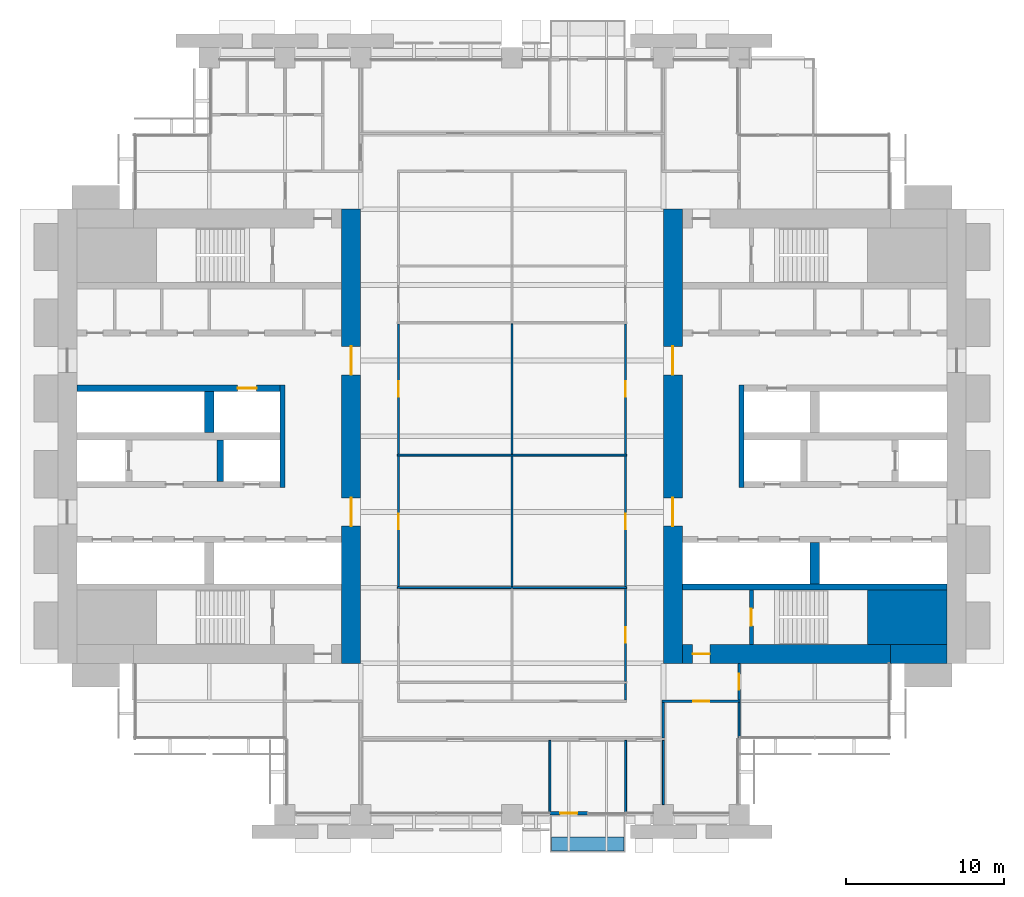
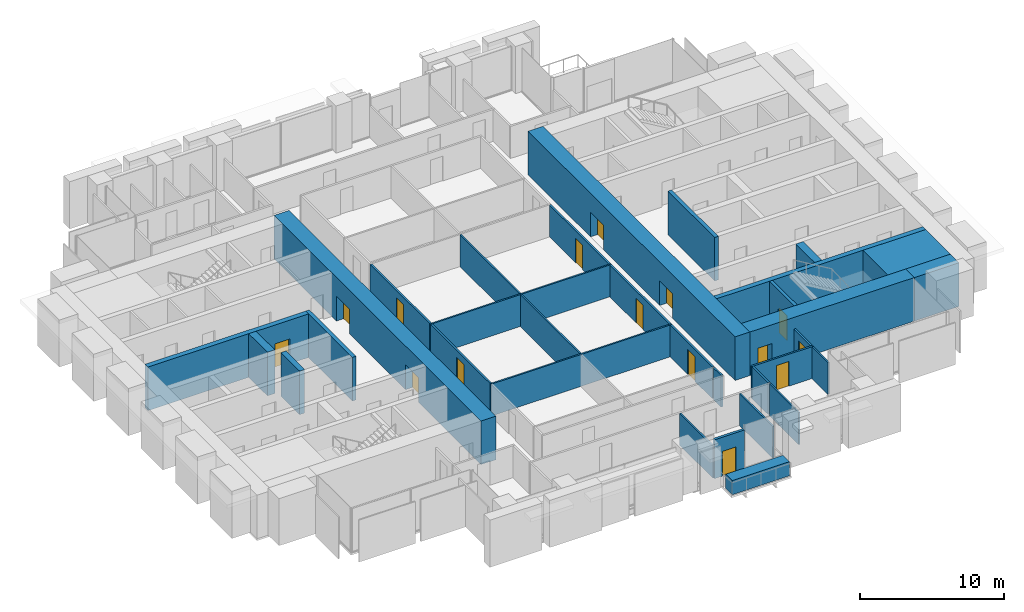
# One storey, part 10 of 15: 32 walls, 15 doors, 15 openings.
"""IFC4 building model written with IfcOpenShell, lengths in metres."""

from ifc_helpers import new_model, si_unit, direction, frame, frame_2d, origin, place, context, subcontext, project, spatial, rectangle, extrude, material, layer, layer_set, type_object, element, fill, save


model = new_model("IFC4")

# Units and contexts
model_context = context("Model", 3, precision=1e-05, world=origin(), true_north=direction((0.0, 1.0)))
body_context = subcontext(model_context, "Body", "Model", "MODEL_VIEW")
ifc_project = project(units=[si_unit("LENGTHUNIT", "METRE"), si_unit("AREAUNIT", "SQUARE_METRE"), si_unit("VOLUMEUNIT", "CUBIC_METRE"), si_unit("PLANEANGLEUNIT", "RADIAN"), si_unit("MASSUNIT", "GRAM", prefix="KILO")], contexts=[model_context])

# Site, building, storey
site_placement = place(None, origin())
site = spatial("IfcSite", under=ifc_project, at=site_placement, CompositionType="ELEMENT")
building_placement = place(site_placement, origin())
building = spatial("IfcBuilding", under=site, at=building_placement, Name="Baori Bourse Tower", CompositionType="ELEMENT")
storey_placement = place(building_placement, frame((0.0, 0.0, 83.0)))
storey = spatial("IfcBuildingStorey", under=building, at=storey_placement, Name="L18", CompositionType="ELEMENT", Elevation=83.0)

# Wall
ifc_material_1 = material(Name="Concrete f'c 70 MPa", Category="concrete")
wall_type_1 = type_object("IfcWallType", Name="Core corner block f'c 70", PredefinedType="SHEAR", material=ifc_material_1)
wall_1_placement = place(storey_placement, frame((51.35009765625, 12.52490234375, 0.0), z_axis=(0.0, 0.0, 1.0), x_axis=(1.0, 0.0, 0.0)))
element("IfcWall", 1, at=wall_1_placement, inside=storey, type_object=wall_type_1, Name="Core wall E05", PredefinedType="SHEAR", context=body_context, shape_type="SweptSolid", body=[
    extrude(rectangle(XDim=5.0498046875, YDim=3.449951171875, at=frame_2d((2.52490234375, 0.0))), origin(), (0.0, 0.0, 1.0), 3.699951171875),
])

# Wall, openings, doors
ifc_material_2 = material(Name="Concrete f'c 70 MPa", Category="concrete")
ifc_layer_1 = layer(ifc_material_2, 1.199951171875)
ifc_layer_set_1 = layer_set([ifc_layer_1], Name="Core wall 1200 f'c 70")
wall_type_2 = type_object("IfcWallType", Name="Core wall 1200 f'c 70", PredefinedType="SHEAR", material=ifc_layer_set_1)
wall_2_placement = place(storey_placement, frame((18.60009765625, 38.39990234375, 0.0), z_axis=(0.0, 0.0, 1.0), x_axis=(0.0, -1.0, 0.0)))
wall_2 = element("IfcWall", 2, at=wall_2_placement, inside=storey, type_object=wall_type_2, Name="Core wall W04", PredefinedType="SHEAR", context=body_context, shape_type="SweptSolid", body=[
    extrude(rectangle(XDim=28.7998046875, YDim=1.199951171875, at=frame_2d((14.39990234375, 0.0))), origin(), (0.0, 0.0, 1.0), 3.699951171875),
])
opening_1_placement = place(wall_2_placement, frame((18.300048828125, 0.0, 0.0)))
opening_1 = element("IfcOpeningElement", 3, at=opening_1_placement, cuts=wall_2, Name="Opening L18-D107", PredefinedType="OPENING", context=body_context, shape_type="SweptSolid", body=[
    extrude(rectangle(XDim=1.800048828125, YDim=2.10009765625, at=frame_2d((0.89990234375, 1.050048828125))), frame((0.0, 0.60986328125, 0.0), z_axis=(0.0, -1.0, 0.0), x_axis=(1.0, 0.0, 0.0)), (0.0, 0.0, 1.0), 1.219970703125),
])
opening_2_placement = place(wall_2_placement, frame((8.699951171875, 0.0, 0.0)))
opening_2 = element("IfcOpeningElement", 4, at=opening_2_placement, cuts=wall_2, Name="Opening L18-D108", PredefinedType="OPENING", context=body_context, shape_type="SweptSolid", body=[
    extrude(rectangle(XDim=1.800048828125, YDim=2.10009765625, at=frame_2d((0.89990234375, 1.050048828125))), frame((0.0, 0.60986328125, 0.0), z_axis=(0.0, -1.0, 0.0), x_axis=(1.0, 0.0, 0.0)), (0.0, 0.0, 1.0), 1.219970703125),
])
ifc_material_3 = material(Name="Painted steel door", Category="steel")
door_type_1 = type_object("IfcDoorType", Name="Core lobby door 1800", OperationType="DOUBLE_DOOR_SINGLE_SWING", PredefinedType="DOOR", material=ifc_material_3)
door_1_placement = place(opening_1_placement, origin())
door_1 = element("IfcDoor", 5, at=door_1_placement, inside=storey, type_object=door_type_1, Name="Lobby door W L18", OperationType="DOUBLE_DOOR_SINGLE_SWING", OverallHeight=2.10009765625, OverallWidth=1.800048828125, PredefinedType="DOOR", context=body_context, shape_type="SweptSolid", body=[
    extrude(rectangle(XDim=1.800048828125, YDim=2.10009765625, at=frame_2d((0.89990234375, 1.050048828125))), frame((0.0, 0.02490234375, 0.0), z_axis=(0.0, -1.0, 0.0), x_axis=(1.0, 0.0, 0.0)), (0.0, 0.0, 1.0), 0.050048828125),
])
fill(opening_1, door_1)
door_2_placement = place(opening_2_placement, origin())
door_2 = element("IfcDoor", 6, at=door_2_placement, inside=storey, type_object=door_type_1, Name="Lobby door W L18", OperationType="DOUBLE_DOOR_SINGLE_SWING", OverallHeight=2.10009765625, OverallWidth=1.800048828125, PredefinedType="DOOR", context=body_context, shape_type="SweptSolid", body=[
    extrude(rectangle(XDim=1.800048828125, YDim=2.10009765625, at=frame_2d((0.89990234375, 1.050048828125))), frame((0.0, 0.02490234375, 0.0), z_axis=(0.0, -1.0, 0.0), x_axis=(1.0, 0.0, 0.0)), (0.0, 0.0, 1.0), 0.050048828125),
])
fill(opening_2, door_2)

# Wall
wall_3_placement = place(storey_placement, frame((56.39990234375, 10.199951171875, 0.0), z_axis=(0.0, 0.0, 1.0), x_axis=(-1.0, 0.0, 0.0)))
element("IfcWall", 7, at=wall_3_placement, inside=storey, type_object=wall_type_2, Name="Core wall E02", PredefinedType="SHEAR", context=body_context, shape_type="SweptSolid", body=[
    extrude(rectangle(XDim=3.599853515625, YDim=1.199951171875, at=frame_2d((1.7998046875, 0.0))), origin(), (0.0, 0.0, 1.0), 3.699951171875),
])

# Wall, opening, door
wall_4_placement = place(storey_placement, frame((52.800048828125, 10.199951171875, 0.0), z_axis=(0.0, 0.0, 1.0), x_axis=(-1.0, 0.0, 0.0)))
wall_4 = element("IfcWall", 8, at=wall_4_placement, inside=storey, type_object=wall_type_2, Name="Core wall E03", PredefinedType="SHEAR", context=body_context, shape_type="SweptSolid", body=[
    extrude(rectangle(XDim=13.199951171875, YDim=1.199951171875, at=frame_2d((6.60009765625, 0.0))), origin(), (0.0, 0.0, 1.0), 3.699951171875),
])
opening_3_placement = place(wall_4_placement, frame((11.449951171875, 0.0, 0.0)))
opening_3 = element("IfcOpeningElement", 9, at=opening_3_placement, cuts=wall_4, Name="Opening L18-D202", PredefinedType="OPENING", context=body_context, shape_type="SweptSolid", body=[
    extrude(rectangle(XDim=1.10009765625, YDim=2.10009765625, at=frame_2d((0.550048828125, 1.050048828125))), frame((0.0, 0.60986328125, 0.0), z_axis=(0.0, -1.0, 0.0), x_axis=(1.0, 0.0, 0.0)), (0.0, 0.0, 1.0), 1.219970703125),
])
ifc_material_4 = material(Name="Painted steel door", Category="steel")
door_type_2 = type_object("IfcDoorType", Name="Stair door 1100", OperationType="SINGLE_SWING_LEFT", PredefinedType="DOOR", material=ifc_material_4)
door_3_placement = place(opening_3_placement, origin())
door_3 = element("IfcDoor", 10, at=door_3_placement, inside=storey, type_object=door_type_2, Name="Stair vestibule door A E L18", OperationType="SINGLE_SWING_LEFT", OverallHeight=2.10009765625, OverallWidth=1.10009765625, PredefinedType="DOOR", context=body_context, shape_type="SweptSolid", body=[
    extrude(rectangle(XDim=1.10009765625, YDim=2.10009765625, at=frame_2d((0.550048828125, 1.050048828125))), frame((0.0, 0.02490234375, 0.0), z_axis=(0.0, -1.0, 0.0), x_axis=(1.0, 0.0, 0.0)), (0.0, 0.0, 1.0), 0.050048828125),
])
fill(opening_3, door_3)

# Wall, openings, doors
wall_5_placement = place(storey_placement, frame((39.0, 9.60009765625, 0.0), z_axis=(0.0, 0.0, 1.0), x_axis=(0.0, 1.0, 0.0)))
wall_5 = element("IfcWall", 11, at=wall_5_placement, inside=storey, type_object=wall_type_2, Name="Core wall E04", PredefinedType="SHEAR", context=body_context, shape_type="SweptSolid", body=[
    extrude(rectangle(XDim=28.7998046875, YDim=1.199951171875, at=frame_2d((14.39990234375, 0.0))), origin(), (0.0, 0.0, 1.0), 3.699951171875),
])
opening_4_placement = place(wall_5_placement, frame((8.699951171875, 0.0, 0.0)))
opening_4 = element("IfcOpeningElement", 12, at=opening_4_placement, cuts=wall_5, Name="Opening L18-D207", PredefinedType="OPENING", context=body_context, shape_type="SweptSolid", body=[
    extrude(rectangle(XDim=1.800048828125, YDim=2.10009765625, at=frame_2d((0.89990234375, 1.050048828125))), frame((0.0, 0.60986328125, 0.0), z_axis=(0.0, -1.0, 0.0), x_axis=(1.0, 0.0, 0.0)), (0.0, 0.0, 1.0), 1.219970703125),
])
opening_5_placement = place(wall_5_placement, frame((18.300048828125, 0.0, 0.0)))
opening_5 = element("IfcOpeningElement", 13, at=opening_5_placement, cuts=wall_5, Name="Opening L18-D208", PredefinedType="OPENING", context=body_context, shape_type="SweptSolid", body=[
    extrude(rectangle(XDim=1.800048828125, YDim=2.10009765625, at=frame_2d((0.89990234375, 1.050048828125))), frame((0.0, 0.60986328125, 0.0), z_axis=(0.0, -1.0, 0.0), x_axis=(1.0, 0.0, 0.0)), (0.0, 0.0, 1.0), 1.219970703125),
])
door_4_placement = place(opening_4_placement, origin())
door_4 = element("IfcDoor", 14, at=door_4_placement, inside=storey, type_object=door_type_1, Name="Lobby door E L18", OperationType="DOUBLE_DOOR_SINGLE_SWING", OverallHeight=2.10009765625, OverallWidth=1.800048828125, PredefinedType="DOOR", context=body_context, shape_type="SweptSolid", body=[
    extrude(rectangle(XDim=1.800048828125, YDim=2.10009765625, at=frame_2d((0.89990234375, 1.050048828125))), frame((0.0, 0.02490234375, 0.0), z_axis=(0.0, -1.0, 0.0), x_axis=(1.0, 0.0, 0.0)), (0.0, 0.0, 1.0), 0.050048828125),
])
fill(opening_4, door_4)
door_5_placement = place(opening_5_placement, origin())
door_5 = element("IfcDoor", 15, at=door_5_placement, inside=storey, type_object=door_type_1, Name="Lobby door E L18", OperationType="DOUBLE_DOOR_SINGLE_SWING", OverallHeight=2.10009765625, OverallWidth=1.800048828125, PredefinedType="DOOR", context=body_context, shape_type="SweptSolid", body=[
    extrude(rectangle(XDim=1.800048828125, YDim=2.10009765625, at=frame_2d((0.89990234375, 1.050048828125))), frame((0.0, 0.02490234375, 0.0), z_axis=(0.0, -1.0, 0.0), x_axis=(1.0, 0.0, 0.0)), (0.0, 0.0, 1.0), 0.050048828125),
])
fill(opening_5, door_5)

# Wall, opening, door
ifc_material_5 = material(Name="Gypsum board partition")
ifc_layer_2 = layer(ifc_material_5, 0.14990234375)
ifc_layer_set_2 = layer_set([ifc_layer_2], Name="Corridor partition 150")
wall_type_3 = type_object("IfcWallType", Name="Corridor partition 150", PredefinedType="PARTITIONING", material=ifc_layer_set_2)
wall_6_placement = place(storey_placement, frame((38.324951171875, 7.199951171875, 0.0), z_axis=(0.0, 0.0, 1.0), x_axis=(1.0, 0.0, 0.0)))
wall_6 = element("IfcWall", 16, at=wall_6_placement, inside=storey, type_object=wall_type_3, Name="Partition", PredefinedType="PARTITIONING", context=body_context, shape_type="SweptSolid", body=[
    extrude(rectangle(XDim=4.949951171875, YDim=0.14990234375, at=frame_2d((2.47509765625, 0.0))), origin(), (0.0, 0.0, 1.0), 2.70947265625),
])
opening_6_placement = place(wall_6_placement, frame((1.97509765625, 0.0, 0.0)))
opening_6 = element("IfcOpeningElement", 17, at=opening_6_placement, cuts=wall_6, Name="Opening L18-D07", PredefinedType="OPENING", context=body_context, shape_type="SweptSolid", body=[
    extrude(rectangle(XDim=1.0, YDim=2.10009765625, at=frame_2d((0.5, 1.050048828125))), frame((0.0, 0.0849609375, 0.0), z_axis=(0.0, -1.0, 0.0), x_axis=(1.0, 0.0, 0.0)), (0.0, 0.0, 1.0), 0.169921875),
])
ifc_material_6 = material(Name="Timber door leaf", Category="wood")
door_type_3 = type_object("IfcDoorType", Name="Door 1000 x 2100", OperationType="SINGLE_SWING_LEFT", PredefinedType="DOOR", material=ifc_material_6)
door_6_placement = place(opening_6_placement, origin())
door_6 = element("IfcDoor", 18, at=door_6_placement, inside=storey, type_object=door_type_3, Name="Door", OperationType="SINGLE_SWING_LEFT", OverallHeight=2.10009765625, OverallWidth=1.0, PredefinedType="DOOR", context=body_context, shape_type="SweptSolid", body=[
    extrude(rectangle(XDim=1.0, YDim=2.10009765625, at=frame_2d((0.5, 1.050048828125))), frame((0.0, 0.02490234375, 0.0), z_axis=(0.0, -1.0, 0.0), x_axis=(1.0, 0.0, 0.0)), (0.0, 0.0, 1.0), 0.050048828125),
])
fill(opening_6, door_6)

wall_7_placement = place(storey_placement, frame((21.60009765625, 14.46240234375, 0.0), z_axis=(0.0, 0.0, 1.0), x_axis=(0.0, 1.0, 0.0)))
wall_7 = element("IfcWall", 19, at=wall_7_placement, inside=storey, type_object=wall_type_3, Name="Partition", PredefinedType="PARTITIONING", context=body_context, shape_type="SweptSolid", body=[
    extrude(rectangle(XDim=8.275146484375, YDim=0.14990234375, at=frame_2d((4.1376953125, 0.0))), origin(), (0.0, 0.0, 1.0), 2.70947265625),
])
opening_7_placement = place(wall_7_placement, frame((3.637451171875, 0.0, 0.0)))
opening_7 = element("IfcOpeningElement", 20, at=opening_7_placement, cuts=wall_7, Name="Opening L18-D22", PredefinedType="OPENING", context=body_context, shape_type="SweptSolid", body=[
    extrude(rectangle(XDim=1.0, YDim=2.10009765625, at=frame_2d((0.5, 1.050048828125))), frame((0.0, 0.0849609375, 0.0), z_axis=(0.0, -1.0, 0.0), x_axis=(1.0, 0.0, 0.0)), (0.0, 0.0, 1.0), 0.169921875),
])
door_7_placement = place(opening_7_placement, origin())
door_7 = element("IfcDoor", 21, at=door_7_placement, inside=storey, type_object=door_type_3, Name="Door", OperationType="SINGLE_SWING_RIGHT", OverallHeight=2.10009765625, OverallWidth=1.0, PredefinedType="DOOR", context=body_context, shape_type="SweptSolid", body=[
    extrude(rectangle(XDim=1.0, YDim=2.10009765625, at=frame_2d((0.5, 1.050048828125))), frame((0.0, 0.02490234375, 0.0), z_axis=(0.0, -1.0, 0.0), x_axis=(1.0, 0.0, 0.0)), (0.0, 0.0, 1.0), 0.050048828125),
])
fill(opening_7, door_7)

wall_8_placement = place(storey_placement, frame((21.60009765625, 22.862548828125, 0.0), z_axis=(0.0, 0.0, 1.0), x_axis=(0.0, 1.0, 0.0)))
wall_8 = element("IfcWall", 22, at=wall_8_placement, inside=storey, type_object=wall_type_3, Name="Partition", PredefinedType="PARTITIONING", context=body_context, shape_type="SweptSolid", body=[
    extrude(rectangle(XDim=8.27490234375, YDim=0.14990234375, at=frame_2d((4.137451171875, 0.0))), origin(), (0.0, 0.0, 1.0), 2.70947265625),
])
opening_8_placement = place(wall_8_placement, frame((3.637451171875, 0.0, 0.0)))
opening_8 = element("IfcOpeningElement", 23, at=opening_8_placement, cuts=wall_8, Name="Opening L18-D23", PredefinedType="OPENING", context=body_context, shape_type="SweptSolid", body=[
    extrude(rectangle(XDim=1.0, YDim=2.10009765625, at=frame_2d((0.5, 1.050048828125))), frame((0.0, 0.0849609375, 0.0), z_axis=(0.0, -1.0, 0.0), x_axis=(1.0, 0.0, 0.0)), (0.0, 0.0, 1.0), 0.169921875),
])
door_8_placement = place(opening_8_placement, origin())
door_8 = element("IfcDoor", 24, at=door_8_placement, inside=storey, type_object=door_type_3, Name="Door", OperationType="SINGLE_SWING_LEFT", OverallHeight=2.10009765625, OverallWidth=1.0, PredefinedType="DOOR", context=body_context, shape_type="SweptSolid", body=[
    extrude(rectangle(XDim=1.0, YDim=2.10009765625, at=frame_2d((0.5, 1.050048828125))), frame((0.0, 0.02490234375, 0.0), z_axis=(0.0, -1.0, 0.0), x_axis=(1.0, 0.0, 0.0)), (0.0, 0.0, 1.0), 0.050048828125),
])
fill(opening_8, door_8)

# Wall
wall_9_placement = place(storey_placement, frame((36.0, 7.27490234375, 0.0), z_axis=(0.0, 0.0, 1.0), x_axis=(0.0, 1.0, 0.0)))
element("IfcWall", 25, at=wall_9_placement, inside=storey, type_object=wall_type_3, Name="Partition", PredefinedType="PARTITIONING", context=body_context, shape_type="SweptSolid", body=[
    extrude(rectangle(XDim=1.0625, YDim=0.14990234375, at=frame_2d((0.53125, 0.0))), origin(), (0.0, 0.0, 1.0), 2.70947265625),
])

# Wall, opening, door
wall_10_placement = place(storey_placement, frame((36.0, 8.46240234375, 0.0), z_axis=(0.0, 0.0, 1.0), x_axis=(0.0, 1.0, 0.0)))
wall_10 = element("IfcWall", 26, at=wall_10_placement, inside=storey, type_object=wall_type_3, Name="Partition", PredefinedType="PARTITIONING", context=body_context, shape_type="SweptSolid", body=[
    extrude(rectangle(XDim=5.875, YDim=0.14990234375, at=frame_2d((2.9375, 0.0))), origin(), (0.0, 0.0, 1.0), 2.70947265625),
])
opening_9_placement = place(wall_10_placement, frame((2.4375, 0.0, 0.0)))
opening_9 = element("IfcOpeningElement", 27, at=opening_9_placement, cuts=wall_10, Name="Opening L18-D25", PredefinedType="OPENING", context=body_context, shape_type="SweptSolid", body=[
    extrude(rectangle(XDim=1.0, YDim=2.10009765625, at=frame_2d((0.5, 1.050048828125))), frame((0.0, 0.0849609375, 0.0), z_axis=(0.0, -1.0, 0.0), x_axis=(1.0, 0.0, 0.0)), (0.0, 0.0, 1.0), 0.169921875),
])
door_9_placement = place(opening_9_placement, origin())
door_9 = element("IfcDoor", 28, at=door_9_placement, inside=storey, type_object=door_type_3, Name="Door", OperationType="SINGLE_SWING_RIGHT", OverallHeight=2.10009765625, OverallWidth=1.0, PredefinedType="DOOR", context=body_context, shape_type="SweptSolid", body=[
    extrude(rectangle(XDim=1.0, YDim=2.10009765625, at=frame_2d((0.5, 1.050048828125))), frame((0.0, 0.02490234375, 0.0), z_axis=(0.0, -1.0, 0.0), x_axis=(1.0, 0.0, 0.0)), (0.0, 0.0, 1.0), 0.050048828125),
])
fill(opening_9, door_9)

wall_11_placement = place(storey_placement, frame((36.0, 14.46240234375, 0.0), z_axis=(0.0, 0.0, 1.0), x_axis=(0.0, 1.0, 0.0)))
wall_11 = element("IfcWall", 29, at=wall_11_placement, inside=storey, type_object=wall_type_3, Name="Partition", PredefinedType="PARTITIONING", context=body_context, shape_type="SweptSolid", body=[
    extrude(rectangle(XDim=8.275146484375, YDim=0.14990234375, at=frame_2d((4.1376953125, 0.0))), origin(), (0.0, 0.0, 1.0), 2.70947265625),
])
opening_10_placement = place(wall_11_placement, frame((3.637451171875, 0.0, 0.0)))
opening_10 = element("IfcOpeningElement", 30, at=opening_10_placement, cuts=wall_11, Name="Opening L18-D26", PredefinedType="OPENING", context=body_context, shape_type="SweptSolid", body=[
    extrude(rectangle(XDim=1.0, YDim=2.10009765625, at=frame_2d((0.5, 1.050048828125))), frame((0.0, 0.0849609375, 0.0), z_axis=(0.0, -1.0, 0.0), x_axis=(1.0, 0.0, 0.0)), (0.0, 0.0, 1.0), 0.169921875),
])
door_10_placement = place(opening_10_placement, origin())
door_10 = element("IfcDoor", 31, at=door_10_placement, inside=storey, type_object=door_type_3, Name="Door", OperationType="SINGLE_SWING_LEFT", OverallHeight=2.10009765625, OverallWidth=1.0, PredefinedType="DOOR", context=body_context, shape_type="SweptSolid", body=[
    extrude(rectangle(XDim=1.0, YDim=2.10009765625, at=frame_2d((0.5, 1.050048828125))), frame((0.0, 0.02490234375, 0.0), z_axis=(0.0, -1.0, 0.0), x_axis=(1.0, 0.0, 0.0)), (0.0, 0.0, 1.0), 0.050048828125),
])
fill(opening_10, door_10)

wall_12_placement = place(storey_placement, frame((36.0, 22.862548828125, 0.0), z_axis=(0.0, 0.0, 1.0), x_axis=(0.0, 1.0, 0.0)))
wall_12 = element("IfcWall", 32, at=wall_12_placement, inside=storey, type_object=wall_type_3, Name="Partition", PredefinedType="PARTITIONING", context=body_context, shape_type="SweptSolid", body=[
    extrude(rectangle(XDim=8.27490234375, YDim=0.14990234375, at=frame_2d((4.137451171875, 0.0))), origin(), (0.0, 0.0, 1.0), 2.70947265625),
])
opening_11_placement = place(wall_12_placement, frame((3.637451171875, 0.0, 0.0)))
opening_11 = element("IfcOpeningElement", 33, at=opening_11_placement, cuts=wall_12, Name="Opening L18-D27", PredefinedType="OPENING", context=body_context, shape_type="SweptSolid", body=[
    extrude(rectangle(XDim=1.0, YDim=2.10009765625, at=frame_2d((0.5, 1.050048828125))), frame((0.0, 0.0849609375, 0.0), z_axis=(0.0, -1.0, 0.0), x_axis=(1.0, 0.0, 0.0)), (0.0, 0.0, 1.0), 0.169921875),
])
door_11_placement = place(opening_11_placement, origin())
door_11 = element("IfcDoor", 34, at=door_11_placement, inside=storey, type_object=door_type_3, Name="Door", OperationType="SINGLE_SWING_RIGHT", OverallHeight=2.10009765625, OverallWidth=1.0, PredefinedType="DOOR", context=body_context, shape_type="SweptSolid", body=[
    extrude(rectangle(XDim=1.0, YDim=2.10009765625, at=frame_2d((0.5, 1.050048828125))), frame((0.0, 0.02490234375, 0.0), z_axis=(0.0, -1.0, 0.0), x_axis=(1.0, 0.0, 0.0)), (0.0, 0.0, 1.0), 0.050048828125),
])
fill(opening_11, door_11)

# Wall
wall_13_placement = place(storey_placement, frame((38.39990234375, 4.875, 0.0), z_axis=(0.0, 0.0, 1.0), x_axis=(0.0, 1.0, 0.0)))
element("IfcWall", 35, at=wall_13_placement, inside=storey, type_object=wall_type_3, Name="Partition", PredefinedType="PARTITIONING", context=body_context, shape_type="SweptSolid", body=[
    extrude(rectangle(XDim=2.25, YDim=0.14990234375, at=frame_2d((1.125, 0.0))), origin(), (0.0, 0.0, 1.0), 2.70947265625),
])

# Wall, opening, door
wall_14_placement = place(storey_placement, frame((43.199951171875, 7.27490234375, 0.0), z_axis=(0.0, 0.0, 1.0), x_axis=(0.0, 1.0, 0.0)))
wall_14 = element("IfcWall", 36, at=wall_14_placement, inside=storey, type_object=wall_type_3, Name="Partition", PredefinedType="PARTITIONING", context=body_context, shape_type="SweptSolid", body=[
    extrude(rectangle(XDim=2.3251953125, YDim=0.14990234375, at=frame_2d((1.16259765625, 0.0))), origin(), (0.0, 0.0, 1.0), 2.70947265625),
])
opening_12_placement = place(wall_14_placement, frame((0.66259765625, 0.0, 0.0)))
opening_12 = element("IfcOpeningElement", 37, at=opening_12_placement, cuts=wall_14, Name="Opening L18-D29", PredefinedType="OPENING", context=body_context, shape_type="SweptSolid", body=[
    extrude(rectangle(XDim=1.0, YDim=2.10009765625, at=frame_2d((0.5, 1.050048828125))), frame((0.0, 0.0849609375, 0.0), z_axis=(0.0, -1.0, 0.0), x_axis=(1.0, 0.0, 0.0)), (0.0, 0.0, 1.0), 0.169921875),
])
door_12_placement = place(opening_12_placement, origin())
door_12 = element("IfcDoor", 38, at=door_12_placement, inside=storey, type_object=door_type_3, Name="Door", OperationType="SINGLE_SWING_LEFT", OverallHeight=2.10009765625, OverallWidth=1.0, PredefinedType="DOOR", context=body_context, shape_type="SweptSolid", body=[
    extrude(rectangle(XDim=1.0, YDim=2.10009765625, at=frame_2d((0.5, 1.050048828125))), frame((0.0, 0.02490234375, 0.0), z_axis=(0.0, -1.0, 0.0), x_axis=(1.0, 0.0, 0.0)), (0.0, 0.0, 1.0), 0.050048828125),
])
fill(opening_12, door_12)

ifc_material_7 = material(Name="Pale anodised aluminium", Category="aluminium")
ifc_layer_3 = layer(ifc_material_7, 0.199951171875)
ifc_layer_set_3 = layer_set([ifc_layer_3], Name="EW1 External wall bay")
wall_type_4 = type_object("IfcWallType", Name="EW1 External wall bay", PredefinedType="SOLIDWALL", material=ifc_layer_set_3)
wall_15_placement = place(storey_placement, frame((31.199951171875, 0.10009765625, 0.0), z_axis=(0.0, 0.0, 1.0), x_axis=(1.0, 0.0, 0.0)))
wall_15 = element("IfcWall", 39, at=wall_15_placement, inside=storey, type_object=wall_type_4, Name="External wall bay L18 3", PredefinedType="SOLIDWALL", context=body_context, shape_type="SweptSolid", body=[
    extrude(rectangle(XDim=2.400146484375, YDim=0.199951171875, at=frame_2d((1.2001953125, 0.0))), origin(), (0.0, 0.0, 1.0), 3.30126953125),
])
opening_13_placement = place(wall_15_placement, frame((0.64990234375, 0.0, 0.0)))
opening_13 = element("IfcOpeningElement", 40, at=opening_13_placement, cuts=wall_15, Name="Opening L18-D93", PredefinedType="OPENING", context=body_context, shape_type="SweptSolid", body=[
    extrude(rectangle(XDim=1.10009765625, YDim=2.10009765625, at=frame_2d((0.550048828125, 1.050048828125))), frame((0.0, 0.10986328125, 0.0), z_axis=(0.0, -1.0, 0.0), x_axis=(1.0, 0.0, 0.0)), (0.0, 0.0, 1.0), 0.219970703125),
])
ifc_material_8 = material(Name="Pale anodised aluminium", Category="aluminium")
door_type_4 = type_object("IfcDoorType", Name="BL1 Balcony door", OperationType="SINGLE_SWING_LEFT", PredefinedType="DOOR", material=ifc_material_8)
door_13_placement = place(opening_13_placement, origin())
door_13 = element("IfcDoor", 41, at=door_13_placement, inside=storey, type_object=door_type_4, Name="Balcony door L18 3", OperationType="SINGLE_SWING_LEFT", OverallHeight=2.10009765625, OverallWidth=1.10009765625, PredefinedType="DOOR", context=body_context, shape_type="SweptSolid", body=[
    extrude(rectangle(XDim=1.10009765625, YDim=2.10009765625, at=frame_2d((0.550048828125, 1.050048828125))), frame((0.0, 0.02490234375, 0.0), z_axis=(0.0, -1.0, 0.0), x_axis=(1.0, 0.0, 0.0)), (0.0, 0.0, 1.0), 0.050048828125),
])
fill(opening_13, door_13)

# Walls
ifc_material_9 = material(Name="Concrete f'c 40 MPa", Category="concrete")
ifc_layer_4 = layer(ifc_material_9, 0.89990234375)
ifc_layer_set_4 = layer_set([ifc_layer_4], Name="PW1 Planter wall")
wall_type_5 = type_object("IfcWallType", Name="PW1 Planter wall", PredefinedType="USERDEFINED", material=ifc_layer_set_4)
wall_16_placement = place(storey_placement, frame((31.300048828125, -1.85009765625, 0.0), z_axis=(0.0, 0.0, 1.0), x_axis=(1.0, 0.0, 0.0)))
element("IfcWall", 42, at=wall_16_placement, inside=storey, type_object=wall_type_5, Name="Planter balcony S L18 1", ObjectType="PLANTER", PredefinedType="USERDEFINED", context=body_context, shape_type="SweptSolid", body=[
    extrude(rectangle(XDim=4.599853515625, YDim=0.89990234375, at=frame_2d((2.2998046875, 0.0))), origin(), (0.0, 0.0, 1.0), 1.199951171875),
])
ifc_material_10 = material(Name="Gypsum board partition")
ifc_layer_5 = layer(ifc_material_10, 0.125)
ifc_layer_set_5 = layer_set([ifc_layer_5], Name="Partition 125")
wall_type_6 = type_object("IfcWallType", Name="Partition 125", PredefinedType="PARTITIONING", material=ifc_layer_set_5)
for number, where, z_axis, x_axis, name in (
    (43, (21.52490234375, 14.39990234375, 0.0), (0.0, 0.0, 1.0), (1.0, 0.0, 0.0), "Partition"),
    (44, (21.52490234375, 22.800048828125, 0.0), (0.0, 0.0, 1.0), (1.0, 0.0, 0.0), "Partition"),
):
    element("IfcWall", number, at=place(storey_placement, frame(where, z_axis=z_axis, x_axis=x_axis)), inside=storey, type_object=wall_type_6, Name=name, PredefinedType="PARTITIONING", context=body_context, shape_type="SweptSolid", body=[
        extrude(rectangle(XDim=14.550048828125, YDim=0.125, at=frame_2d((7.27490234375, 0.0))), origin(), (0.0, 0.0, 1.0), 2.70947265625),
    ])
wall_17_placement = place(storey_placement, frame((28.800048828125, 14.46240234375, 0.0), z_axis=(0.0, 0.0, 1.0), x_axis=(0.0, 1.0, 0.0)))
element("IfcWall", 45, at=wall_17_placement, inside=storey, type_object=wall_type_6, Name="Partition", PredefinedType="PARTITIONING", context=body_context, shape_type="SweptSolid", body=[
    extrude(rectangle(XDim=8.275146484375, YDim=0.125, at=frame_2d((4.1376953125, 0.0))), origin(), (0.0, 0.0, 1.0), 2.70947265625),
])
wall_18_placement = place(storey_placement, frame((28.800048828125, 22.862548828125, 0.0), z_axis=(0.0, 0.0, 1.0), x_axis=(0.0, 1.0, 0.0)))
element("IfcWall", 46, at=wall_18_placement, inside=storey, type_object=wall_type_6, Name="Partition", PredefinedType="PARTITIONING", context=body_context, shape_type="SweptSolid", body=[
    extrude(rectangle(XDim=8.27490234375, YDim=0.125, at=frame_2d((4.137451171875, 0.0))), origin(), (0.0, 0.0, 1.0), 2.70947265625),
])
for number, where, z_axis, x_axis, name in (
    (47, (31.199951171875, 0.10009765625, 0.0), (0.0, 0.0, 1.0), (0.0, 1.0, 0.0), "Partition"),
    (48, (36.0, 0.10009765625, 0.0), (0.0, 0.0, 1.0), (0.0, 1.0, 0.0), "Partition"),
):
    element("IfcWall", number, at=place(storey_placement, frame(where, z_axis=z_axis, x_axis=x_axis)), inside=storey, type_object=wall_type_6, Name=name, PredefinedType="PARTITIONING", context=body_context, shape_type="SweptSolid", body=[
        extrude(rectangle(XDim=4.625, YDim=0.125, at=frame_2d((2.3125, 0.0))), origin(), (0.0, 0.0, 1.0), 2.70947265625),
    ])
wall_19_placement = place(storey_placement, frame((38.39990234375, 0.64990234375, 0.0), z_axis=(0.0, 0.0, 1.0), x_axis=(0.0, 1.0, 0.0)))
element("IfcWall", 49, at=wall_19_placement, inside=storey, type_object=wall_type_6, Name="Partition", PredefinedType="PARTITIONING", context=body_context, shape_type="SweptSolid", body=[
    extrude(rectangle(XDim=4.0751953125, YDim=0.125, at=frame_2d((2.03759765625, 0.0))), origin(), (0.0, 0.0, 1.0), 2.70947265625),
])
wall_20_placement = place(storey_placement, frame((43.199951171875, 4.89990234375, 0.0), z_axis=(0.0, 0.0, 1.0), x_axis=(0.0, 1.0, 0.0)))
element("IfcWall", 50, at=wall_20_placement, inside=storey, type_object=wall_type_6, Name="Partition", PredefinedType="PARTITIONING", context=body_context, shape_type="SweptSolid", body=[
    extrude(rectangle(XDim=2.22509765625, YDim=0.125, at=frame_2d((1.112548828125, 0.0))), origin(), (0.0, 0.0, 1.0), 2.70947265625),
])

# Wall, opening, door
ifc_material_11 = material(Name="Concrete f'c 70 MPa", Category="concrete")
ifc_layer_6 = layer(ifc_material_11, 0.25)
ifc_layer_set_6 = layer_set([ifc_layer_6], Name="Shaft wall 250 f'c 70")
wall_type_7 = type_object("IfcWallType", Name="Shaft wall 250 f'c 70", PredefinedType="SHEAR", material=ifc_layer_set_6)
wall_21_placement = place(storey_placement, frame((43.97509765625, 10.800048828125, 0.0), z_axis=(0.0, 0.0, 1.0), x_axis=(0.0, 1.0, 0.0)))
wall_21 = element("IfcWall", 51, at=wall_21_placement, inside=storey, type_object=wall_type_7, Name="Core wall E06", PredefinedType="SHEAR", context=body_context, shape_type="SweptSolid", body=[
    extrude(rectangle(XDim=3.449951171875, YDim=0.25, at=frame_2d((1.72509765625, 0.0))), origin(), (0.0, 0.0, 1.0), 3.699951171875),
])
opening_14_placement = place(wall_21_placement, frame((1.175048828125, 0.0, 0.0)))
opening_14 = element("IfcOpeningElement", 52, at=opening_14_placement, cuts=wall_21, Name="Opening L18-D201", PredefinedType="OPENING", context=body_context, shape_type="SweptSolid", body=[
    extrude(rectangle(XDim=1.10009765625, YDim=2.10009765625, at=frame_2d((0.550048828125, 1.050048828125))), frame((0.0, 0.135009765625, 0.0), z_axis=(0.0, -1.0, 0.0), x_axis=(1.0, 0.0, 0.0)), (0.0, 0.0, 1.0), 0.27001953125),
])
door_14_placement = place(opening_14_placement, origin())
door_14 = element("IfcDoor", 53, at=door_14_placement, inside=storey, type_object=door_type_2, Name="Stair door A E L18", OperationType="SINGLE_SWING_LEFT", OverallHeight=2.10009765625, OverallWidth=1.10009765625, PredefinedType="DOOR", context=body_context, shape_type="SweptSolid", body=[
    extrude(rectangle(XDim=1.10009765625, YDim=2.10009765625, at=frame_2d((0.550048828125, 1.050048828125))), frame((0.0, 0.02490234375, 0.0), z_axis=(0.0, -1.0, 0.0), x_axis=(1.0, 0.0, 0.0)), (0.0, 0.0, 1.0), 0.050048828125),
])
fill(opening_14, door_14)

# Walls
ifc_material_12 = material(Name="Concrete f'c 70 MPa", Category="concrete")
ifc_layer_7 = layer(ifc_material_12, 0.300048828125)
ifc_layer_set_7 = layer_set([ifc_layer_7], Name="Shaft wall 300 f'c 70")
wall_type_8 = type_object("IfcWallType", Name="Shaft wall 300 f'c 70", PredefinedType="SHEAR", material=ifc_layer_set_7)
for number, where, z_axis, x_axis, name in (
    (54, (14.25, 20.75, 0.0), (0.0, 0.0, 1.0), (0.0, 1.0, 0.0), "Core wall W11"),
    (55, (43.35009765625, 20.75, 0.0), (0.0, 0.0, 1.0), (0.0, 1.0, 0.0), "Core wall E11"),
):
    element("IfcWall", number, at=place(storey_placement, frame(where, z_axis=z_axis, x_axis=x_axis)), inside=storey, type_object=wall_type_8, Name=name, PredefinedType="SHEAR", context=body_context, shape_type="SweptSolid", body=[
        extrude(rectangle(XDim=6.5, YDim=0.300048828125, at=frame_2d((3.25, 0.0))), origin(), (0.0, 0.0, 1.0), 3.699951171875),
    ])
ifc_material_13 = material(Name="Concrete f'c 70 MPa", Category="concrete")
ifc_layer_8 = layer(ifc_material_13, 0.39990234375)
ifc_layer_set_8 = layer_set([ifc_layer_8], Name="Shaft wall 400 f'c 70")
wall_type_9 = type_object("IfcWallType", Name="Shaft wall 400 f'c 70", PredefinedType="SHEAR", material=ifc_layer_set_8)
wall_22_placement = place(storey_placement, frame((10.300048828125, 21.14990234375, 0.0), z_axis=(0.0, 0.0, 1.0), x_axis=(0.0, 1.0, 0.0)))
element("IfcWall", 56, at=wall_22_placement, inside=storey, type_object=wall_type_9, Name="Core wall W13", PredefinedType="SHEAR", context=body_context, shape_type="SweptSolid", body=[
    extrude(rectangle(XDim=2.60009765625, YDim=0.39990234375, at=frame_2d((1.300048828125, 0.0))), origin(), (0.0, 0.0, 1.0), 3.699951171875),
])

# Wall, opening, door
wall_23_placement = place(storey_placement, frame((1.199951171875, 27.050048828125, 0.0), z_axis=(0.0, 0.0, 1.0), x_axis=(1.0, 0.0, 0.0)))
wall_23 = element("IfcWall", 57, at=wall_23_placement, inside=storey, type_object=wall_type_9, Name="Core wall W16", PredefinedType="SHEAR", context=body_context, shape_type="SweptSolid", body=[
    extrude(rectangle(XDim=12.900146484375, YDim=0.39990234375, at=frame_2d((6.4501953125, 0.0))), origin(), (0.0, 0.0, 1.0), 3.699951171875),
])
opening_15_placement = place(wall_23_placement, frame((10.199951171875, 0.0, 0.0)))
opening_15 = element("IfcOpeningElement", 58, at=opening_15_placement, cuts=wall_23, Name="Opening L18-D120", PredefinedType="OPENING", context=body_context, shape_type="SweptSolid", body=[
    extrude(rectangle(XDim=1.199951171875, YDim=2.10009765625, at=frame_2d((0.60009765625, 1.050048828125))), frame((0.0, 0.2099609375, 0.0), z_axis=(0.0, -1.0, 0.0), x_axis=(1.0, 0.0, 0.0)), (0.0, 0.0, 1.0), 0.419921875),
])
ifc_material_14 = material(Name="Stainless steel door", Category="steel")
door_type_5 = type_object("IfcDoorType", Name="Lift landing door", OperationType="DOUBLE_DOOR_SLIDING", PredefinedType="DOOR", material=ifc_material_14)
door_15_placement = place(opening_15_placement, origin())
door_15 = element("IfcDoor", 59, at=door_15_placement, inside=storey, type_object=door_type_5, Name="Lift landing door SV1 W L18", OperationType="DOUBLE_DOOR_SLIDING", OverallHeight=2.10009765625, OverallWidth=1.199951171875, PredefinedType="DOOR", context=body_context, shape_type="SweptSolid", body=[
    extrude(rectangle(XDim=1.199951171875, YDim=2.10009765625, at=frame_2d((0.60009765625, 1.050048828125))), frame((0.0, 0.02490234375, 0.0), z_axis=(0.0, -1.0, 0.0), x_axis=(1.0, 0.0, 0.0)), (0.0, 0.0, 1.0), 0.050048828125),
])
fill(opening_15, door_15)

# Walls
wall_24_placement = place(storey_placement, frame((39.60009765625, 14.449951171875, 0.0), z_axis=(0.0, 0.0, 1.0), x_axis=(1.0, 0.0, 0.0)))
element("IfcWall", 60, at=wall_24_placement, inside=storey, type_object=wall_type_9, Name="Core wall E07", PredefinedType="SHEAR", context=body_context, shape_type="SweptSolid", body=[
    extrude(rectangle(XDim=16.7998046875, YDim=0.39990234375, at=frame_2d((8.39990234375, 0.0))), origin(), (0.0, 0.0, 1.0), 3.699951171875),
])
ifc_material_15 = material(Name="Concrete f'c 70 MPa", Category="concrete")
ifc_layer_9 = layer(ifc_material_15, 0.60009765625)
ifc_layer_set_9 = layer_set([ifc_layer_9], Name="Shaft wall 600 f'c 70")
wall_type_10 = type_object("IfcWallType", Name="Shaft wall 600 f'c 70", PredefinedType="SHEAR", material=ifc_layer_set_9)
for number, where, z_axis, x_axis, name in (
    (61, (9.60009765625, 24.25, 0.0), (0.0, 0.0, 1.0), (0.0, 1.0, 0.0), "Core wall W15"),
    (62, (48.0, 14.64990234375, 0.0), (0.0, 0.0, 1.0), (0.0, 1.0, 0.0), "Core wall E08"),
):
    element("IfcWall", number, at=place(storey_placement, frame(where, z_axis=z_axis, x_axis=x_axis)), inside=storey, type_object=wall_type_10, Name=name, PredefinedType="SHEAR", context=body_context, shape_type="SweptSolid", body=[
        extrude(rectangle(XDim=2.60009765625, YDim=0.60009765625, at=frame_2d((1.300048828125, 0.0))), origin(), (0.0, 0.0, 1.0), 3.699951171875),
    ])

save(model, "model.ifc")
